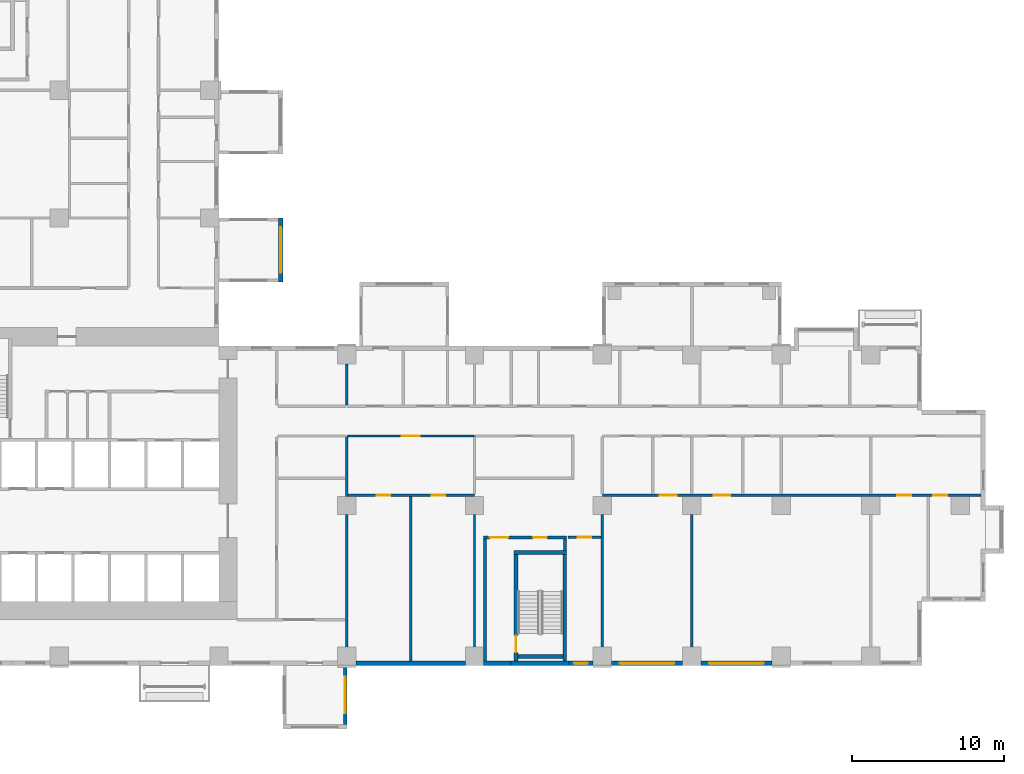
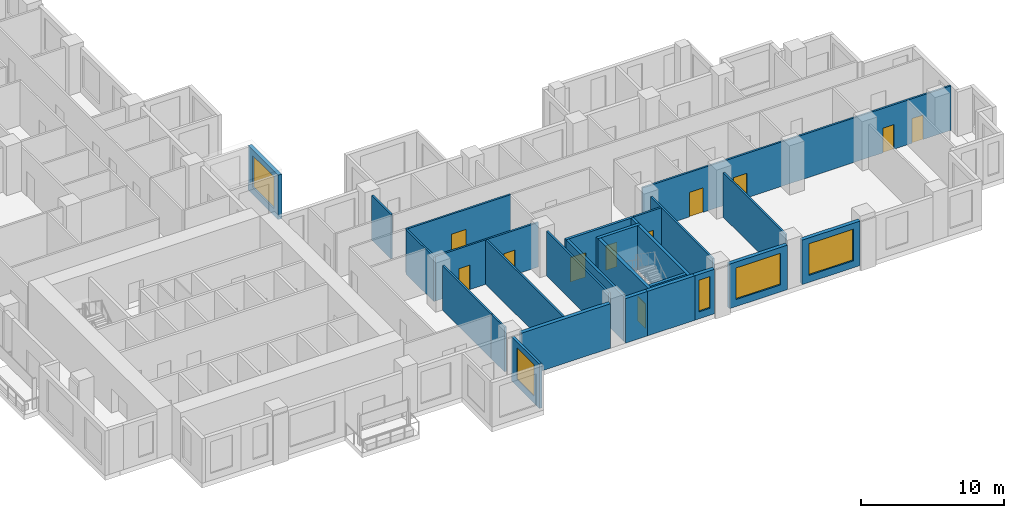
# One storey, part 4 of 15: 27 walls, 11 doors, 5 windows, 16 openings.
"""IFC4 building model written with IfcOpenShell, lengths in metres."""

from ifc_helpers import new_model, si_unit, direction, frame, frame_2d, origin, place, context, subcontext, project, spatial, rectangle, extrude, source, transform, mapped, material, layer, layer_set, type_object, element, fill, save


model = new_model("IFC4")

# Units and contexts
model_context = context("Model", 3, precision=1e-05, world=origin(), true_north=direction((0.0, 1.0)))
body_context = subcontext(model_context, "Body", "Model", "MODEL_VIEW")
ifc_project = project(units=[si_unit("LENGTHUNIT", "METRE"), si_unit("AREAUNIT", "SQUARE_METRE"), si_unit("VOLUMEUNIT", "CUBIC_METRE"), si_unit("PLANEANGLEUNIT", "RADIAN"), si_unit("MASSUNIT", "GRAM", prefix="KILO")], contexts=[model_context])

# Site, building, storey
site_placement = place(None, origin())
site = spatial("IfcSite", under=ifc_project, at=site_placement, CompositionType="ELEMENT")
building_placement = place(site_placement, origin())
building = spatial("IfcBuilding", under=site, at=building_placement, Name="Aurelian Terraces", CompositionType="ELEMENT")
storey_placement = place(building_placement, frame((0.0, 0.0, 65.7)))
storey = spatial("IfcBuildingStorey", under=building, at=storey_placement, Name="L13", CompositionType="ELEMENT", Elevation=65.7)

# Wall
ifc_material_1 = material(Name="Terracotta rainscreen cladding", Category="masonry")
ifc_layer_1 = layer(ifc_material_1, 0.3)
ifc_layer_set_1 = layer_set([ifc_layer_1], Name="EW-300")
wall_type_1 = type_object("IfcWallType", Name="EW-300", PredefinedType="STANDARD", material=ifc_layer_set_1)
shared_shape_1 = source(origin(), body_context, "Body", "SweptSolid", [
    extrude(rectangle(XDim=7.2, YDim=0.3, at=frame_2d((3.6, 0.0))), origin(), (0.0, 0.0, 1.0), 3.8),
])
wall_1_placement = place(storey_placement, frame((30.0, 0.15, 0.0), z_axis=(0.0, 0.0, 1.0), x_axis=(1.0, 0.0, 0.0)))
element("IfcWall", 1, at=wall_1_placement, inside=storey, type_object=wall_type_1, Name="External wall L13 F01.6", PredefinedType="STANDARD", context=body_context, shape_type="MappedRepresentation", body=[
    mapped(shared_shape_1, transform((0.0, 0.0, 0.0), scale=1.0)),
])

# Wall, opening, window
shared_shape_2 = source(origin(), body_context, "Body", "SweptSolid", [
    extrude(rectangle(XDim=4.68, YDim=0.3, at=frame_2d((2.34, 0.0))), origin(), (0.0, 0.0, 1.0), 3.8),
])
wall_2_placement = place(storey_placement, frame((46.8, 0.15, 0.0), z_axis=(0.0, 0.0, 1.0), x_axis=(1.0, 0.0, 0.0)))
wall_2 = element("IfcWall", 2, at=wall_2_placement, inside=storey, type_object=wall_type_1, Name="External wall L13 F01.8", PredefinedType="STANDARD", context=body_context, shape_type="MappedRepresentation", body=[
    mapped(shared_shape_2, transform((0.0, 0.0, 0.0), scale=1.0)),
])
shared_shape_3 = source(origin(), body_context, "Body", "SweptSolid", [
    extrude(rectangle(XDim=3.6, YDim=2.7, at=frame_2d((1.8, 1.35))), frame((0.0, 0.16, 0.0), z_axis=(0.0, -1.0, 0.0), x_axis=(1.0, 0.0, 0.0)), (0.0, 0.0, 1.0), 0.32),
])
opening_1_placement = place(wall_2_placement, frame((0.54, 0.0, 0.6)))
opening_1 = element("IfcOpeningElement", 3, at=opening_1_placement, cuts=wall_2, Name="Opening W3627", PredefinedType="OPENING", context=body_context, shape_type="MappedRepresentation", body=[
    mapped(shared_shape_3, transform((0.0, 0.0, 0.0), scale=1.0)),
])
ifc_material_2 = material(Name="Clear glazing", Category="glass")
window_type_1 = type_object("IfcWindowType", Name="W-3600x2700", PartitioningType="SINGLE_PANEL", PredefinedType="WINDOW", material=ifc_material_2)
shared_shape_4 = source(origin(), body_context, "Body", "SweptSolid", [
    extrude(rectangle(XDim=3.6, YDim=2.7, at=frame_2d((1.8, 1.35))), frame((0.0, 0.03, 0.0), z_axis=(0.0, -1.0, 0.0), x_axis=(1.0, 0.0, 0.0)), (0.0, 0.0, 1.0), 0.06),
])
window_1_placement = place(opening_1_placement, origin())
window_1 = element("IfcWindow", 4, at=window_1_placement, inside=storey, type_object=window_type_1, Name="Window L13 L13-F01-08-0", OverallHeight=2.7, OverallWidth=3.6, PartitioningType="SINGLE_PANEL", PredefinedType="WINDOW", context=body_context, shape_type="MappedRepresentation", body=[
    mapped(shared_shape_4, transform((0.0, 0.0, 0.0), scale=1.0)),
])
fill(opening_1, window_1)

wall_3_placement = place(storey_placement, frame((52.68, 0.15, 0.0), z_axis=(0.0, 0.0, 1.0), x_axis=(1.0, 0.0, 0.0)))
wall_3 = element("IfcWall", 5, at=wall_3_placement, inside=storey, type_object=wall_type_1, Name="External wall L13 F01.9", PredefinedType="STANDARD", context=body_context, shape_type="MappedRepresentation", body=[
    mapped(shared_shape_2, transform((0.0, 0.0, 0.0), scale=1.0)),
])
opening_2_placement = place(wall_3_placement, frame((0.54, 0.0, 0.6)))
opening_2 = element("IfcOpeningElement", 6, at=opening_2_placement, cuts=wall_3, Name="Opening W3627", PredefinedType="OPENING", context=body_context, shape_type="MappedRepresentation", body=[
    mapped(shared_shape_3, transform((0.0, 0.0, 0.0), scale=1.0)),
])
window_2_placement = place(opening_2_placement, origin())
window_2 = element("IfcWindow", 7, at=window_2_placement, inside=storey, type_object=window_type_1, Name="Window L13 L13-F01-09-0", OverallHeight=2.7, OverallWidth=3.6, PartitioningType="SINGLE_PANEL", PredefinedType="WINDOW", context=body_context, shape_type="MappedRepresentation", body=[
    mapped(shared_shape_4, transform((0.0, 0.0, 0.0), scale=1.0)),
])
fill(opening_2, window_2)

shared_shape_5 = source(origin(), body_context, "Body", "SweptSolid", [
    extrude(rectangle(XDim=1.6, YDim=0.3, at=frame_2d((0.8, 0.0))), origin(), (0.0, 0.0, 1.0), 3.8),
])
wall_4_placement = place(storey_placement, frame((44.0, 0.15, 0.0), z_axis=(0.0, 0.0, 1.0), x_axis=(1.0, 0.0, 0.0)))
wall_4 = element("IfcWall", 8, at=wall_4_placement, inside=storey, type_object=wall_type_1, Name="External wall L13 F01.7", PredefinedType="STANDARD", context=body_context, shape_type="MappedRepresentation", body=[
    mapped(shared_shape_5, transform((0.0, 0.0, 0.0), scale=1.0)),
])
shared_shape_6 = source(origin(), body_context, "Body", "SweptSolid", [
    extrude(rectangle(XDim=0.9, YDim=2.7, at=frame_2d((0.45, 1.35))), frame((0.0, 0.16, 0.0), z_axis=(0.0, -1.0, 0.0), x_axis=(1.0, 0.0, 0.0)), (0.0, 0.0, 1.0), 0.32),
])
opening_3_placement = place(wall_4_placement, frame((0.35, 0.0, 0.6)))
opening_3 = element("IfcOpeningElement", 9, at=opening_3_placement, cuts=wall_4, Name="Opening W0927", PredefinedType="OPENING", context=body_context, shape_type="MappedRepresentation", body=[
    mapped(shared_shape_6, transform((0.0, 0.0, 0.0), scale=1.0)),
])
window_type_2 = type_object("IfcWindowType", Name="W-900x2700", PartitioningType="SINGLE_PANEL", PredefinedType="WINDOW", material=ifc_material_2)
shared_shape_7 = source(origin(), body_context, "Body", "SweptSolid", [
    extrude(rectangle(XDim=0.9, YDim=2.7, at=frame_2d((0.45, 1.35))), frame((0.0, 0.03, 0.0), z_axis=(0.0, -1.0, 0.0), x_axis=(1.0, 0.0, 0.0)), (0.0, 0.0, 1.0), 0.06),
])
window_3_placement = place(opening_3_placement, origin())
window_3 = element("IfcWindow", 10, at=window_3_placement, inside=storey, type_object=window_type_2, Name="Window L13 L13-F01-07-P2", OverallHeight=2.7, OverallWidth=0.9, PartitioningType="SINGLE_PANEL", PredefinedType="WINDOW", context=body_context, shape_type="MappedRepresentation", body=[
    mapped(shared_shape_7, transform((0.0, 0.0, 0.0), scale=1.0)),
])
fill(opening_3, window_3)

# Walls
ifc_material_3 = material(Name="Concrete fc' 40 MPa", Category="concrete")
ifc_layer_2 = layer(ifc_material_3, 0.3)
ifc_layer_set_2 = layer_set([ifc_layer_2], Name="STAIR BAY WALL 300")
wall_type_2 = type_object("IfcWallType", Name="STAIR BAY WALL 300", PredefinedType="SOLIDWALL", material=ifc_layer_set_2)
shared_shape_8 = source(origin(), body_context, "Body", "SweptSolid", [
    extrude(rectangle(XDim=3.8, YDim=0.3, at=frame_2d((1.9, 0.0))), origin(), (0.0, 0.0, 1.0), 3.8),
])
wall_5_placement = place(storey_placement, frame((40.2, 0.15, 0.0), z_axis=(0.0, 0.0, 1.0), x_axis=(1.0, 0.0, 0.0)))
element("IfcWall", 11, at=wall_5_placement, inside=storey, type_object=wall_type_2, Name="Stair bay wall L13 F01.7", PredefinedType="SOLIDWALL", context=body_context, shape_type="MappedRepresentation", body=[
    mapped(shared_shape_8, transform((0.0, 0.0, 0.0), scale=1.0)),
])
shared_shape_9 = source(origin(), body_context, "Body", "SweptSolid", [
    extrude(rectangle(XDim=1.8, YDim=0.3, at=frame_2d((0.9, 0.0))), origin(), (0.0, 0.0, 1.0), 3.8),
])
wall_6_placement = place(storey_placement, frame((38.4, 0.15, 0.0), z_axis=(0.0, 0.0, 1.0), x_axis=(1.0, 0.0, 0.0)))
element("IfcWall", 12, at=wall_6_placement, inside=storey, type_object=wall_type_1, Name="External wall L13 F01.7", PredefinedType="STANDARD", context=body_context, shape_type="MappedRepresentation", body=[
    mapped(shared_shape_9, transform((0.0, 0.0, 0.0), scale=1.0)),
])

# Wall, opening, window
ifc_layer_3 = layer(ifc_material_3, 0.2)
ifc_layer_set_3 = layer_set([ifc_layer_3], Name="BOX BEARING WALL 200")
wall_type_3 = type_object("IfcWallType", Name="BOX BEARING WALL 200", PredefinedType="SOLIDWALL", material=ifc_layer_set_3)
shared_shape_10 = source(origin(), body_context, "Body", "SweptSolid", [
    extrude(rectangle(XDim=3.9, YDim=0.2, at=frame_2d((1.95, 0.0))), origin(), (0.0, 0.0, 1.0), 3.79),
])
wall_7_placement = place(storey_placement, frame((29.3, 0.0, 0.0), z_axis=(0.0, 0.0, 1.0), x_axis=(0.0, -1.0, 0.0)))
wall_7 = element("IfcWall", 13, at=wall_7_placement, inside=storey, type_object=wall_type_3, Name="Box return L13 J12.2", PredefinedType="SOLIDWALL", context=body_context, shape_type="MappedRepresentation", body=[
    mapped(shared_shape_10, transform((0.0, 0.0, 0.0), scale=1.0)),
])
shared_shape_11 = source(origin(), body_context, "Body", "SweptSolid", [
    extrude(rectangle(XDim=2.4, YDim=2.7, at=frame_2d((1.2, 1.35))), frame((0.0, 0.11, 0.0), z_axis=(0.0, -1.0, 0.0), x_axis=(1.0, 0.0, 0.0)), (0.0, 0.0, 1.0), 0.22),
])
opening_4_placement = place(wall_7_placement, frame((0.75, 0.0, 0.6)))
opening_4 = element("IfcOpeningElement", 14, at=opening_4_placement, cuts=wall_7, Name="Opening W2427", PredefinedType="OPENING", context=body_context, shape_type="MappedRepresentation", body=[
    mapped(shared_shape_11, transform((0.0, 0.0, 0.0), scale=1.0)),
])
window_type_3 = type_object("IfcWindowType", Name="W-2400x2700", PartitioningType="SINGLE_PANEL", PredefinedType="WINDOW", material=ifc_material_2)
shared_shape_12 = source(origin(), body_context, "Body", "SweptSolid", [
    extrude(rectangle(XDim=2.4, YDim=2.7, at=frame_2d((1.2, 1.35))), frame((0.0, 0.03, 0.0), z_axis=(0.0, -1.0, 0.0), x_axis=(1.0, 0.0, 0.0)), (0.0, 0.0, 1.0), 0.06),
])
window_4_placement = place(opening_4_placement, origin())
window_4 = element("IfcWindow", 15, at=window_4_placement, inside=storey, type_object=window_type_3, Name="Window L13 J12-S2", OverallHeight=2.7, OverallWidth=2.4, PartitioningType="SINGLE_PANEL", PredefinedType="WINDOW", context=body_context, shape_type="MappedRepresentation", body=[
    mapped(shared_shape_12, transform((0.0, 0.0, 0.0), scale=1.0)),
])
fill(opening_4, window_4)

ifc_layer_4 = layer(ifc_material_3, 0.3)
ifc_layer_set_4 = layer_set([ifc_layer_4], Name="BOX BEARING WALL 300")
wall_type_4 = type_object("IfcWallType", Name="BOX BEARING WALL 300", PredefinedType="SOLIDWALL", material=ifc_layer_set_4)
shared_shape_13 = source(origin(), body_context, "Body", "SweptSolid", [
    extrude(rectangle(XDim=4.2, YDim=0.3, at=frame_2d((2.1, 0.0))), origin(), (0.0, 0.0, 1.0), 3.8),
])
wall_8_placement = place(storey_placement, frame((25.05, 25.2, 0.0), z_axis=(0.0, 0.0, 1.0), x_axis=(0.0, 1.0, 0.0)))
wall_8 = element("IfcWall", 16, at=wall_8_placement, inside=storey, type_object=wall_type_4, Name="Box wall L13 J11", PredefinedType="SOLIDWALL", context=body_context, shape_type="MappedRepresentation", body=[
    mapped(shared_shape_13, transform((0.0, 0.0, 0.0), scale=1.0)),
])
shared_shape_14 = source(origin(), body_context, "Body", "SweptSolid", [
    extrude(rectangle(XDim=3.0, YDim=2.7, at=frame_2d((1.5, 1.35))), frame((0.0, 0.16, 0.0), z_axis=(0.0, -1.0, 0.0), x_axis=(1.0, 0.0, 0.0)), (0.0, 0.0, 1.0), 0.32),
])
opening_5_placement = place(wall_8_placement, frame((0.6, 0.0, 0.6)))
opening_5 = element("IfcOpeningElement", 17, at=opening_5_placement, cuts=wall_8, Name="Opening W3027", PredefinedType="OPENING", context=body_context, shape_type="MappedRepresentation", body=[
    mapped(shared_shape_14, transform((0.0, 0.0, 0.0), scale=1.0)),
])
window_type_4 = type_object("IfcWindowType", Name="W-3000x2700", PartitioningType="SINGLE_PANEL", PredefinedType="WINDOW", material=ifc_material_2)
shared_shape_15 = source(origin(), body_context, "Body", "SweptSolid", [
    extrude(rectangle(XDim=3.0, YDim=2.7, at=frame_2d((1.5, 1.35))), frame((0.0, 0.03, 0.0), z_axis=(0.0, -1.0, 0.0), x_axis=(1.0, 0.0, 0.0)), (0.0, 0.0, 1.0), 0.06),
])
window_5_placement = place(opening_5_placement, origin())
window_5 = element("IfcWindow", 18, at=window_5_placement, inside=storey, type_object=window_type_4, Name="Window L13 J11-F1", OverallHeight=2.7, OverallWidth=3.0, PartitioningType="SINGLE_PANEL", PredefinedType="WINDOW", context=body_context, shape_type="MappedRepresentation", body=[
    mapped(shared_shape_15, transform((0.0, 0.0, 0.0), scale=1.0)),
])
fill(opening_5, window_5)

# Wall, opening, door
ifc_layer_5 = layer(ifc_material_3, 0.25)
ifc_layer_set_5 = layer_set([ifc_layer_5], Name="Stair enclosure wall 250")
wall_type_5 = type_object("IfcWallType", Name="Stair enclosure wall 250", PredefinedType="SOLIDWALL", material=ifc_layer_set_5)
shared_shape_16 = source(origin(), body_context, "Body", "SweptSolid", [
    extrude(rectangle(XDim=7.0, YDim=0.25, at=frame_2d((3.5, 0.0))), origin(), (0.0, 0.0, 1.0), 3.8),
])
wall_9_placement = place(storey_placement, frame((40.525, 0.3, 0.0), z_axis=(0.0, 0.0, 1.0), x_axis=(0.0, 1.0, 0.0)))
wall_9 = element("IfcWall", 19, at=wall_9_placement, inside=storey, type_object=wall_type_5, Name="L13 core wall ST-S2-W", PredefinedType="SOLIDWALL", context=body_context, shape_type="MappedRepresentation", body=[
    mapped(shared_shape_16, transform((0.0, 0.0, 0.0), scale=1.0)),
])
shared_shape_17 = source(origin(), body_context, "Body", "SweptSolid", [
    extrude(rectangle(XDim=1.1, YDim=2.1, at=frame_2d((0.55, 1.05))), frame((0.0, 0.135, 0.0), z_axis=(0.0, -1.0, 0.0), x_axis=(1.0, 0.0, 0.0)), (0.0, 0.0, 1.0), 0.27),
])
opening_6_placement = place(wall_9_placement, frame((0.55, 0.0, 0.0)))
opening_6 = element("IfcOpeningElement", 20, at=opening_6_placement, cuts=wall_9, Name="Opening 61615", PredefinedType="OPENING", context=body_context, shape_type="MappedRepresentation", body=[
    mapped(shared_shape_17, transform((0.0, 0.0, 0.0), scale=1.0)),
])
ifc_material_4 = material(Name="Steel door leaf", Category="steel")
door_type_1 = type_object("IfcDoorType", Name="Core fire door 1100x2100 right", OperationType="SINGLE_SWING_RIGHT", PredefinedType="DOOR", material=ifc_material_4)
shared_shape_18 = source(origin(), body_context, "Body", "SweptSolid", [
    extrude(rectangle(XDim=1.1, YDim=2.1, at=frame_2d((0.55, 1.05))), frame((0.0, 0.025, 0.0), z_axis=(0.0, -1.0, 0.0), x_axis=(1.0, 0.0, 0.0)), (0.0, 0.0, 1.0), 0.05),
])
door_1_placement = place(opening_6_placement, origin())
door_1 = element("IfcDoor", 21, at=door_1_placement, inside=storey, type_object=door_type_1, Name="Stair door 61615", OperationType="SINGLE_SWING_RIGHT", OverallHeight=2.1, OverallWidth=1.1, PredefinedType="DOOR", context=body_context, shape_type="MappedRepresentation", body=[
    mapped(shared_shape_18, transform((0.0, 0.0, 0.0), scale=1.0)),
])
fill(opening_6, door_1)

# Walls
wall_10_placement = place(storey_placement, frame((43.725, 0.3, 0.0), z_axis=(0.0, 0.0, 1.0), x_axis=(0.0, 1.0, 0.0)))
element("IfcWall", 22, at=wall_10_placement, inside=storey, type_object=wall_type_5, Name="L13 core wall ST-S2-E", PredefinedType="SOLIDWALL", context=body_context, shape_type="MappedRepresentation", body=[
    mapped(shared_shape_16, transform((0.0, 0.0, 0.0), scale=1.0)),
])
shared_shape_19 = source(origin(), body_context, "Body", "SweptSolid", [
    extrude(rectangle(XDim=3.45, YDim=0.25, at=frame_2d((1.725, 0.0))), origin(), (0.0, 0.0, 1.0), 3.8),
])
wall_11_placement = place(storey_placement, frame((40.4, 7.425, 0.0), z_axis=(0.0, 0.0, 1.0), x_axis=(1.0, 0.0, 0.0)))
element("IfcWall", 23, at=wall_11_placement, inside=storey, type_object=wall_type_5, Name="L13 core wall ST-S2-N", PredefinedType="SOLIDWALL", context=body_context, shape_type="MappedRepresentation", body=[
    mapped(shared_shape_19, transform((0.0, 0.0, 0.0), scale=1.0)),
])
shared_shape_20 = source(origin(), body_context, "Body", "SweptSolid", [
    extrude(rectangle(XDim=2.95, YDim=0.25, at=frame_2d((1.475, 0.0))), origin(), (0.0, 0.0, 1.0), 3.8),
])
wall_12_placement = place(storey_placement, frame((40.65, 0.575, 0.0), z_axis=(0.0, 0.0, 1.0), x_axis=(1.0, 0.0, 0.0)))
element("IfcWall", 24, at=wall_12_placement, inside=storey, type_object=wall_type_5, Name="L13 core wall ST-S2-SS", PredefinedType="SOLIDWALL", context=body_context, shape_type="MappedRepresentation", body=[
    mapped(shared_shape_20, transform((0.0, 0.0, 0.0), scale=1.0)),
])
ifc_material_5 = material(Name="Gypsum board on steel studs", Category="steel")
ifc_layer_6 = layer(ifc_material_5, 0.2)
ifc_layer_set_6 = layer_set([ifc_layer_6], Name="Core partition 200")
wall_type_6 = type_object("IfcWallType", Name="Core partition 200", PredefinedType="PARTITIONING", material=ifc_layer_set_6)
shared_shape_21 = source(origin(), body_context, "Body", "SweptSolid", [
    extrude(rectangle(XDim=8.0, YDim=0.2, at=frame_2d((4.0, 0.0))), origin(), (0.0, 0.0, 1.0), 3.8),
])
wall_13_placement = place(storey_placement, frame((38.5, 0.3, 0.0), z_axis=(0.0, 0.0, 1.0), x_axis=(0.0, 1.0, 0.0)))
element("IfcWall", 25, at=wall_13_placement, inside=storey, type_object=wall_type_6, Name="L13 core wall ST-S2-VW", PredefinedType="PARTITIONING", context=body_context, shape_type="MappedRepresentation", body=[
    mapped(shared_shape_21, transform((0.0, 0.0, 0.0), scale=1.0)),
])

# Wall, openings, doors
shared_shape_22 = source(origin(), body_context, "Body", "SweptSolid", [
    extrude(rectangle(XDim=5.45, YDim=0.2, at=frame_2d((2.725, 0.0))), origin(), (0.0, 0.0, 1.0), 3.8),
])
wall_14_placement = place(storey_placement, frame((38.4, 8.4, 0.0), z_axis=(0.0, 0.0, 1.0), x_axis=(1.0, 0.0, 0.0)))
wall_14 = element("IfcWall", 26, at=wall_14_placement, inside=storey, type_object=wall_type_6, Name="L13 core wall ST-S2-BN", PredefinedType="PARTITIONING", context=body_context, shape_type="MappedRepresentation", body=[
    mapped(shared_shape_22, transform((0.0, 0.0, 0.0), scale=1.0)),
])
shared_shape_23 = source(origin(), body_context, "Body", "SweptSolid", [
    extrude(rectangle(XDim=1.2, YDim=2.1, at=frame_2d((0.6, 1.05))), frame((0.0, 0.11, 0.0), z_axis=(0.0, -1.0, 0.0), x_axis=(1.0, 0.0, 0.0)), (0.0, 0.0, 1.0), 0.22),
])
opening_7_placement = place(wall_14_placement, frame((0.4, 0.0, 0.0)))
opening_7 = element("IfcOpeningElement", 27, at=opening_7_placement, cuts=wall_14, Name="Opening 61616", PredefinedType="OPENING", context=body_context, shape_type="MappedRepresentation", body=[
    mapped(shared_shape_23, transform((0.0, 0.0, 0.0), scale=1.0)),
])
shared_shape_24 = source(origin(), body_context, "Body", "SweptSolid", [
    extrude(rectangle(XDim=0.9, YDim=2.1, at=frame_2d((0.45, 1.05))), frame((0.0, 0.11, 0.0), z_axis=(0.0, -1.0, 0.0), x_axis=(1.0, 0.0, 0.0)), (0.0, 0.0, 1.0), 0.22),
])
opening_8_placement = place(wall_14_placement, frame((3.25, 0.0, 0.0)))
opening_8 = element("IfcOpeningElement", 28, at=opening_8_placement, cuts=wall_14, Name="Opening 61617", PredefinedType="OPENING", context=body_context, shape_type="MappedRepresentation", body=[
    mapped(shared_shape_24, transform((0.0, 0.0, 0.0), scale=1.0)),
])
door_type_2 = type_object("IfcDoorType", Name="Core riser door 900x2100 right", OperationType="SINGLE_SWING_RIGHT", PredefinedType="DOOR", material=ifc_material_4)
shared_shape_25 = source(origin(), body_context, "Body", "SweptSolid", [
    extrude(rectangle(XDim=0.9, YDim=2.1, at=frame_2d((0.45, 1.05))), frame((0.0, 0.025, 0.0), z_axis=(0.0, -1.0, 0.0), x_axis=(1.0, 0.0, 0.0)), (0.0, 0.0, 1.0), 0.05),
])
door_2_placement = place(opening_8_placement, origin())
door_2 = element("IfcDoor", 29, at=door_2_placement, inside=storey, type_object=door_type_2, Name="Riser door 61617", OperationType="SINGLE_SWING_RIGHT", OverallHeight=2.1, OverallWidth=0.9, PredefinedType="DOOR", context=body_context, shape_type="MappedRepresentation", body=[
    mapped(shared_shape_25, transform((0.0, 0.0, 0.0), scale=1.0)),
])
fill(opening_8, door_2)
door_type_3 = type_object("IfcDoorType", Name="Core fire door 1200x2100", OperationType="SINGLE_SWING_LEFT", PredefinedType="DOOR", material=ifc_material_4)
shared_shape_26 = source(origin(), body_context, "Body", "SweptSolid", [
    extrude(rectangle(XDim=1.2, YDim=2.1, at=frame_2d((0.6, 1.05))), frame((0.0, 0.025, 0.0), z_axis=(0.0, -1.0, 0.0), x_axis=(1.0, 0.0, 0.0)), (0.0, 0.0, 1.0), 0.05),
])
door_3_placement = place(opening_7_placement, origin())
door_3 = element("IfcDoor", 30, at=door_3_placement, inside=storey, type_object=door_type_3, Name="Vestibule door 61616", OperationType="SINGLE_SWING_LEFT", OverallHeight=2.1, OverallWidth=1.2, PredefinedType="DOOR", context=body_context, shape_type="MappedRepresentation", body=[
    mapped(shared_shape_26, transform((0.0, 0.0, 0.0), scale=1.0)),
])
fill(opening_7, door_3)

# Walls
shared_shape_27 = source(origin(), body_context, "Body", "SweptSolid", [
    extrude(rectangle(XDim=0.75, YDim=0.2, at=frame_2d((0.375, 0.0))), origin(), (0.0, 0.0, 1.0), 3.8),
])
wall_15_placement = place(storey_placement, frame((43.75, 7.55, 0.0), z_axis=(0.0, 0.0, 1.0), x_axis=(0.0, 1.0, 0.0)))
element("IfcWall", 31, at=wall_15_placement, inside=storey, type_object=wall_type_6, Name="L13 core wall ST-S2-RE", PredefinedType="PARTITIONING", context=body_context, shape_type="MappedRepresentation", body=[
    mapped(shared_shape_27, transform((0.0, 0.0, 0.0), scale=1.0)),
])
ifc_layer_7 = layer(ifc_material_5, 0.15)
ifc_layer_set_7 = layer_set([ifc_layer_7], Name="Partition 150")
wall_type_7 = type_object("IfcWallType", Name="Partition 150", PredefinedType="PARTITIONING", material=ifc_layer_set_7)
shared_shape_28 = source(origin(), body_context, "Body", "SweptSolid", [
    extrude(rectangle(XDim=8.702, YDim=0.15, at=frame_2d((4.351, 0.0))), origin(), (0.0, 0.0, 1.0), 3.8),
])
for number, where, z_axis, x_axis, name in (
    (32, (37.8, 1.199, 0.0), (0.0, 0.0, 1.0), (0.0, 1.0, 0.0), "Partition"),
    (33, (46.2, 1.199, 0.0), (0.0, 0.0, 1.0), (0.0, 1.0, 0.0), "Partition"),
    (34, (52.08, 1.199, 0.0), (0.0, 0.0, 1.0), (0.0, 1.0, 0.0), "Partition"),
):
    element("IfcWall", number, at=place(storey_placement, frame(where, z_axis=z_axis, x_axis=x_axis)), inside=storey, type_object=wall_type_7, Name=name, PredefinedType="PARTITIONING", context=body_context, shape_type="MappedRepresentation", body=[
        mapped(shared_shape_28, transform((0.0, 0.0, 0.0), scale=1.0)),
    ])
shared_shape_29 = source(origin(), body_context, "Body", "SweptSolid", [
    extrude(rectangle(XDim=2.701, YDim=0.15, at=frame_2d((1.3505, 0.0))), origin(), (0.0, 0.0, 1.0), 3.8),
])
wall_16_placement = place(storey_placement, frame((29.4, 17.1, 0.0), z_axis=(0.0, 0.0, 1.0), x_axis=(0.0, 1.0, 0.0)))
element("IfcWall", 35, at=wall_16_placement, inside=storey, type_object=wall_type_7, Name="Partition", PredefinedType="PARTITIONING", context=body_context, shape_type="MappedRepresentation", body=[
    mapped(shared_shape_29, transform((0.0, 0.0, 0.0), scale=1.0)),
])

# Wall, openings, doors
shared_shape_30 = source(origin(), body_context, "Body", "SweptSolid", [
    extrude(rectangle(XDim=8.4, YDim=0.15, at=frame_2d((4.2, 0.0))), origin(), (0.0, 0.0, 1.0), 3.8),
])
wall_17_placement = place(storey_placement, frame((37.8, 11.175, 0.0), z_axis=(0.0, 0.0, 1.0), x_axis=(-1.0, 0.0, 0.0)))
wall_17 = element("IfcWall", 36, at=wall_17_placement, inside=storey, type_object=wall_type_7, Name="Partition", PredefinedType="PARTITIONING", context=body_context, shape_type="MappedRepresentation", body=[
    mapped(shared_shape_30, transform((0.0, 0.0, 0.0), scale=1.0)),
])
shared_shape_31 = source(origin(), body_context, "Body", "SweptSolid", [
    extrude(rectangle(XDim=0.9, YDim=2.1, at=frame_2d((0.45, 1.05))), frame((0.0, 0.085, 0.0), z_axis=(0.0, -1.0, 0.0), x_axis=(1.0, 0.0, 0.0)), (0.0, 0.0, 1.0), 0.17),
])
opening_9_placement = place(wall_17_placement, frame((5.5375, 0.0, 0.0)))
opening_9 = element("IfcOpeningElement", 37, at=opening_9_placement, cuts=wall_17, Name="Opening 713008", PredefinedType="OPENING", context=body_context, shape_type="MappedRepresentation", body=[
    mapped(shared_shape_31, transform((0.0, 0.0, 0.0), scale=1.0)),
])
opening_10_placement = place(wall_17_placement, frame((1.9125, 0.0, 0.0)))
opening_10 = element("IfcOpeningElement", 38, at=opening_10_placement, cuts=wall_17, Name="Opening 713009", PredefinedType="OPENING", context=body_context, shape_type="MappedRepresentation", body=[
    mapped(shared_shape_31, transform((0.0, 0.0, 0.0), scale=1.0)),
])
ifc_material_6 = material(Name="Timber door leaf", Category="wood")
door_type_4 = type_object("IfcDoorType", Name="Room door 900x2100 left", OperationType="SINGLE_SWING_LEFT", PredefinedType="DOOR", material=ifc_material_6)
door_4_placement = place(opening_9_placement, origin())
door_4 = element("IfcDoor", 39, at=door_4_placement, inside=storey, type_object=door_type_4, Name="Door 713008", OperationType="SINGLE_SWING_LEFT", OverallHeight=2.1, OverallWidth=0.9, PredefinedType="DOOR", context=body_context, shape_type="MappedRepresentation", body=[
    mapped(shared_shape_25, transform((0.0, 0.0, 0.0), scale=1.0)),
])
fill(opening_9, door_4)
door_type_5 = type_object("IfcDoorType", Name="Room door 900x2100 right", OperationType="SINGLE_SWING_RIGHT", PredefinedType="DOOR", material=ifc_material_6)
door_5_placement = place(opening_10_placement, origin())
door_5 = element("IfcDoor", 40, at=door_5_placement, inside=storey, type_object=door_type_5, Name="Door 713009", OperationType="SINGLE_SWING_RIGHT", OverallHeight=2.1, OverallWidth=0.9, PredefinedType="DOOR", context=body_context, shape_type="MappedRepresentation", body=[
    mapped(shared_shape_25, transform((0.0, 0.0, 0.0), scale=1.0)),
])
fill(opening_10, door_5)

# Wall, opening, door
ifc_layer_8 = layer(ifc_material_5, 0.15)
ifc_layer_set_8 = layer_set([ifc_layer_8], Name="Fire partition 150")
wall_type_8 = type_object("IfcWallType", Name="Fire partition 150", PredefinedType="PARTITIONING", material=ifc_layer_set_8)
wall_18_placement = place(storey_placement, frame((37.8, 15.075, 0.0), z_axis=(0.0, 0.0, 1.0), x_axis=(-1.0, 0.0, 0.0)))
wall_18 = element("IfcWall", 41, at=wall_18_placement, inside=storey, type_object=wall_type_8, Name="Corridor wall", PredefinedType="PARTITIONING", context=body_context, shape_type="MappedRepresentation", body=[
    mapped(shared_shape_30, transform((0.0, 0.0, 0.0), scale=1.0)),
])
shared_shape_32 = source(origin(), body_context, "Body", "SweptSolid", [
    extrude(rectangle(XDim=1.2, YDim=2.1, at=frame_2d((0.6, 1.05))), frame((0.0, 0.085, 0.0), z_axis=(0.0, -1.0, 0.0), x_axis=(1.0, 0.0, 0.0)), (0.0, 0.0, 1.0), 0.17),
])
opening_11_placement = place(wall_18_placement, frame((3.6, 0.0, 0.0)))
opening_11 = element("IfcOpeningElement", 42, at=opening_11_placement, cuts=wall_18, Name="Opening 713007", PredefinedType="OPENING", context=body_context, shape_type="MappedRepresentation", body=[
    mapped(shared_shape_32, transform((0.0, 0.0, 0.0), scale=1.0)),
])
door_type_6 = type_object("IfcDoorType", Name="Room door 1200x2100 right", OperationType="SINGLE_SWING_RIGHT", PredefinedType="DOOR", material=ifc_material_6)
door_6_placement = place(opening_11_placement, origin())
door_6 = element("IfcDoor", 43, at=door_6_placement, inside=storey, type_object=door_type_6, Name="Door 713007", OperationType="SINGLE_SWING_RIGHT", OverallHeight=2.1, OverallWidth=1.2, PredefinedType="DOOR", context=body_context, shape_type="MappedRepresentation", body=[
    mapped(shared_shape_26, transform((0.0, 0.0, 0.0), scale=1.0)),
])
fill(opening_11, door_6)

# Wall, openings, doors
shared_shape_33 = source(origin(), body_context, "Body", "SweptSolid", [
    extrude(rectangle(XDim=24.9, YDim=0.15, at=frame_2d((12.45, 0.0))), origin(), (0.0, 0.0, 1.0), 3.8),
])
wall_19_placement = place(storey_placement, frame((71.1, 11.175, 0.0), z_axis=(0.0, 0.0, 1.0), x_axis=(-1.0, 0.0, 0.0)))
wall_19 = element("IfcWall", 44, at=wall_19_placement, inside=storey, type_object=wall_type_7, Name="Partition", PredefinedType="PARTITIONING", context=body_context, shape_type="MappedRepresentation", body=[
    mapped(shared_shape_33, transform((0.0, 0.0, 0.0), scale=1.0)),
])
shared_shape_34 = source(origin(), body_context, "Body", "SweptSolid", [
    extrude(rectangle(XDim=1.1, YDim=2.1, at=frame_2d((0.55, 1.05))), frame((0.0, 0.085, 0.0), z_axis=(0.0, -1.0, 0.0), x_axis=(1.0, 0.0, 0.0)), (0.0, 0.0, 1.0), 0.17),
])
opening_12_placement = place(wall_19_placement, frame((20.0167, 0.0, 0.0)))
opening_12 = element("IfcOpeningElement", 45, at=opening_12_placement, cuts=wall_19, Name="Opening 713011", PredefinedType="OPENING", context=body_context, shape_type="MappedRepresentation", body=[
    mapped(shared_shape_34, transform((0.0, 0.0, 0.0), scale=1.0)),
])
opening_13_placement = place(wall_19_placement, frame((16.4811, 0.0, 0.0)))
opening_13 = element("IfcOpeningElement", 46, at=opening_13_placement, cuts=wall_19, Name="Opening 713014", PredefinedType="OPENING", context=body_context, shape_type="MappedRepresentation", body=[
    mapped(shared_shape_34, transform((0.0, 0.0, 0.0), scale=1.0)),
])
opening_14_placement = place(wall_19_placement, frame((4.6075, 0.0, 0.0)))
opening_14 = element("IfcOpeningElement", 47, at=opening_14_placement, cuts=wall_19, Name="Opening 713018", PredefinedType="OPENING", context=body_context, shape_type="MappedRepresentation", body=[
    mapped(shared_shape_31, transform((0.0, 0.0, 0.0), scale=1.0)),
])
opening_15_placement = place(wall_19_placement, frame((2.2425, 0.0, 0.0)))
opening_15 = element("IfcOpeningElement", 48, at=opening_15_placement, cuts=wall_19, Name="Opening 713019", PredefinedType="OPENING", context=body_context, shape_type="MappedRepresentation", body=[
    mapped(shared_shape_31, transform((0.0, 0.0, 0.0), scale=1.0)),
])
door_7_placement = place(opening_14_placement, origin())
door_7 = element("IfcDoor", 49, at=door_7_placement, inside=storey, type_object=door_type_4, Name="Door 713018", OperationType="SINGLE_SWING_LEFT", OverallHeight=2.1, OverallWidth=0.9, PredefinedType="DOOR", context=body_context, shape_type="MappedRepresentation", body=[
    mapped(shared_shape_25, transform((0.0, 0.0, 0.0), scale=1.0)),
])
fill(opening_14, door_7)
door_8_placement = place(opening_15_placement, origin())
door_8 = element("IfcDoor", 50, at=door_8_placement, inside=storey, type_object=door_type_5, Name="Door 713019", OperationType="SINGLE_SWING_RIGHT", OverallHeight=2.1, OverallWidth=0.9, PredefinedType="DOOR", context=body_context, shape_type="MappedRepresentation", body=[
    mapped(shared_shape_25, transform((0.0, 0.0, 0.0), scale=1.0)),
])
fill(opening_15, door_8)
door_type_7 = type_object("IfcDoorType", Name="Room door 1100x2100 left", OperationType="SINGLE_SWING_LEFT", PredefinedType="DOOR", material=ifc_material_6)
door_9_placement = place(opening_12_placement, origin())
door_9 = element("IfcDoor", 51, at=door_9_placement, inside=storey, type_object=door_type_7, Name="Door 713011", OperationType="SINGLE_SWING_LEFT", OverallHeight=2.1, OverallWidth=1.1, PredefinedType="DOOR", context=body_context, shape_type="MappedRepresentation", body=[
    mapped(shared_shape_18, transform((0.0, 0.0, 0.0), scale=1.0)),
])
fill(opening_12, door_9)
door_10_placement = place(opening_13_placement, origin())
door_10 = element("IfcDoor", 52, at=door_10_placement, inside=storey, type_object=door_type_7, Name="Door 713014", OperationType="SINGLE_SWING_LEFT", OverallHeight=2.1, OverallWidth=1.1, PredefinedType="DOOR", context=body_context, shape_type="MappedRepresentation", body=[
    mapped(shared_shape_18, transform((0.0, 0.0, 0.0), scale=1.0)),
])
fill(opening_13, door_10)

# Walls
shared_shape_35 = source(origin(), body_context, "Body", "SweptSolid", [
    extrude(rectangle(XDim=6.826, YDim=0.15, at=frame_2d((3.413, 0.0))), origin(), (0.0, 0.0, 1.0), 3.8),
])
wall_20_placement = place(storey_placement, frame((29.4, 3.075, 0.0), z_axis=(0.0, 0.0, 1.0), x_axis=(0.0, 1.0, 0.0)))
element("IfcWall", 53, at=wall_20_placement, inside=storey, type_object=wall_type_7, Name="Partition", PredefinedType="PARTITIONING", context=body_context, shape_type="MappedRepresentation", body=[
    mapped(shared_shape_35, transform((0.0, 0.0, 0.0), scale=1.0)),
])
shared_shape_36 = source(origin(), body_context, "Body", "SweptSolid", [
    extrude(rectangle(XDim=3.901, YDim=0.15, at=frame_2d((1.9505, 0.0))), origin(), (0.0, 0.0, 1.0), 3.8),
])
wall_21_placement = place(storey_placement, frame((29.4, 11.099, 0.0), z_axis=(0.0, 0.0, 1.0), x_axis=(0.0, 1.0, 0.0)))
element("IfcWall", 54, at=wall_21_placement, inside=storey, type_object=wall_type_7, Name="Partition", PredefinedType="PARTITIONING", context=body_context, shape_type="MappedRepresentation", body=[
    mapped(shared_shape_36, transform((0.0, 0.0, 0.0), scale=1.0)),
])

# Wall, opening, door
shared_shape_37 = source(origin(), body_context, "Body", "SweptSolid", [
    extrude(rectangle(XDim=2.2, YDim=0.15, at=frame_2d((1.1, 0.0))), origin(), (0.0, 0.0, 1.0), 3.8),
])
wall_22_placement = place(storey_placement, frame((46.125, 8.425, 0.0), z_axis=(0.0, 0.0, 1.0), x_axis=(-1.0, 0.0, 0.0)))
wall_22 = element("IfcWall", 55, at=wall_22_placement, inside=storey, type_object=wall_type_7, Name="Partition", PredefinedType="PARTITIONING", context=body_context, shape_type="MappedRepresentation", body=[
    mapped(shared_shape_37, transform((0.0, 0.0, 0.0), scale=1.0)),
])
opening_16_placement = place(wall_22_placement, frame((0.65, 0.0, 0.0)))
opening_16 = element("IfcOpeningElement", 56, at=opening_16_placement, cuts=wall_22, Name="Opening 713006", PredefinedType="OPENING", context=body_context, shape_type="MappedRepresentation", body=[
    mapped(shared_shape_31, transform((0.0, 0.0, 0.0), scale=1.0)),
])
door_11_placement = place(opening_16_placement, origin())
door_11 = element("IfcDoor", 57, at=door_11_placement, inside=storey, type_object=door_type_4, Name="Door 713006", OperationType="SINGLE_SWING_LEFT", OverallHeight=2.1, OverallWidth=0.9, PredefinedType="DOOR", context=body_context, shape_type="MappedRepresentation", body=[
    mapped(shared_shape_25, transform((0.0, 0.0, 0.0), scale=1.0)),
])
fill(opening_16, door_11)

# Walls
shared_shape_38 = source(origin(), body_context, "Body", "SweptSolid", [
    extrude(rectangle(XDim=1.856, YDim=0.15, at=frame_2d((0.928, 0.0))), origin(), (0.0, 0.0, 1.0), 3.8),
])
wall_23_placement = place(storey_placement, frame((29.4, 1.199, 0.0), z_axis=(0.0, 0.0, 1.0), x_axis=(0.0, 1.0, 0.0)))
element("IfcWall", 58, at=wall_23_placement, inside=storey, type_object=wall_type_7, Name="Partition", PredefinedType="PARTITIONING", context=body_context, shape_type="MappedRepresentation", body=[
    mapped(shared_shape_38, transform((0.0, 0.0, 0.0), scale=1.0)),
])
shared_shape_39 = source(origin(), body_context, "Body", "SweptSolid", [
    extrude(rectangle(XDim=10.8, YDim=0.15, at=frame_2d((5.4, 0.0))), origin(), (0.0, 0.0, 1.0), 3.8),
])
wall_24_placement = place(storey_placement, frame((33.6, 0.3, 0.0), z_axis=(0.0, 0.0, 1.0), x_axis=(0.0, 1.0, 0.0)))
element("IfcWall", 59, at=wall_24_placement, inside=storey, type_object=wall_type_7, Name="Partition", PredefinedType="PARTITIONING", context=body_context, shape_type="MappedRepresentation", body=[
    mapped(shared_shape_39, transform((0.0, 0.0, 0.0), scale=1.0)),
])

save(model, "model.ifc")
